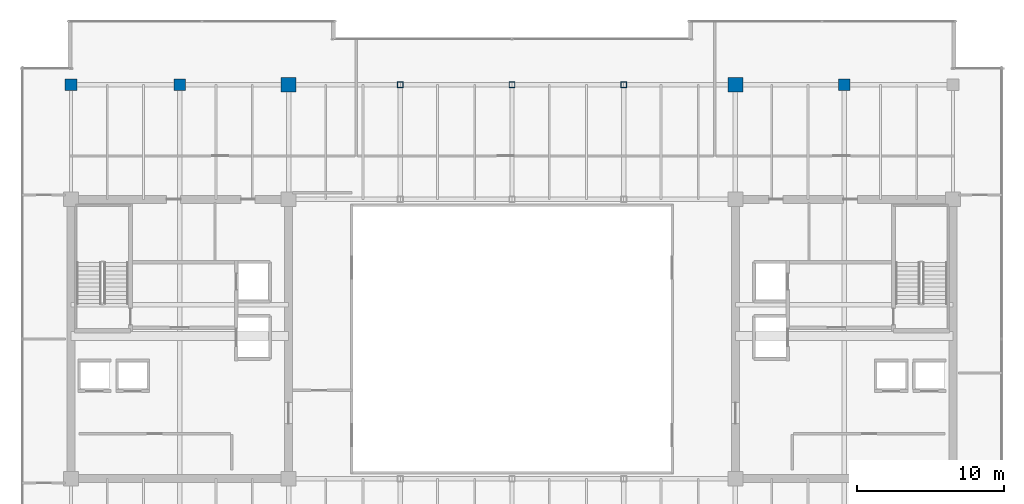
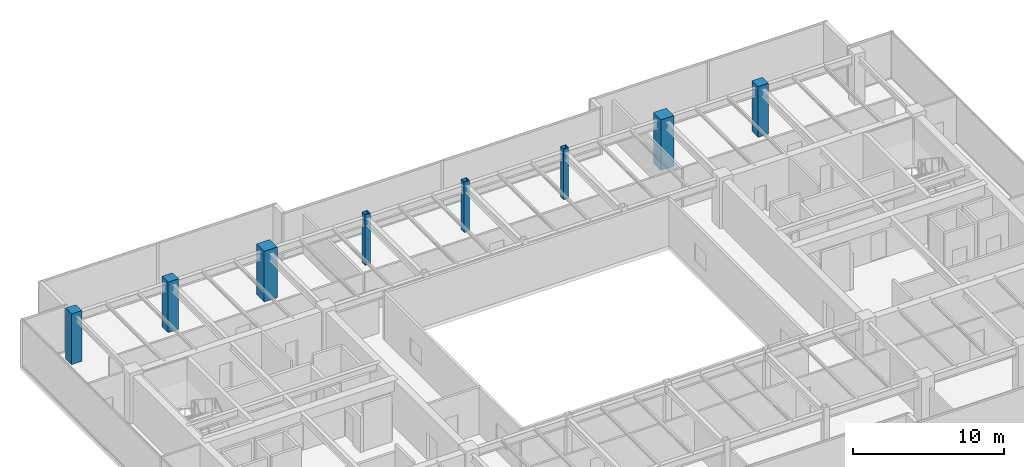
# One storey, part 3 of 33: 8 columns.
"""IFC4 building model written with IfcOpenShell, lengths in metres."""

from ifc_helpers import new_model, si_unit, direction, frame, origin, origin_2d, place, context, subcontext, project, spatial, rectangle, hollow_rectangle, extrude, source, transform, mapped, material, material_profile, profile_set, type_object, type_shapes, element, save


model = new_model("IFC4")

# Units and contexts
model_context = context("Model", 3, precision=1e-05, world=origin(), true_north=direction((0.0, 1.0)))
body_context = subcontext(model_context, "Body", "Model", "MODEL_VIEW")
ifc_project = project(units=[si_unit("LENGTHUNIT", "METRE"), si_unit("AREAUNIT", "SQUARE_METRE"), si_unit("VOLUMEUNIT", "CUBIC_METRE"), si_unit("PLANEANGLEUNIT", "RADIAN"), si_unit("MASSUNIT", "GRAM", prefix="KILO")], contexts=[model_context])

# Site, building, storey
site_placement = place(None, origin())
site = spatial("IfcSite", under=ifc_project, at=site_placement, CompositionType="ELEMENT")
building_placement = place(site_placement, origin())
building = spatial("IfcBuilding", under=site, at=building_placement, Name="Haelvirn Gate Laboratories", CompositionType="ELEMENT")
storey_placement = place(building_placement, frame((0.0, 0.0, 267.0)))
storey = spatial("IfcBuildingStorey", under=building, at=storey_placement, Name="L64", CompositionType="ELEMENT", Elevation=267.0)

# Columns
ifc_material_1 = material(Name="Concrete C60/75", Category="concrete")
ifc_material_profile_1 = material_profile(ifc_material_1, rectangle(XDim=1.0, YDim=1.0, at=origin_2d()), Name="RC-1000x1000")
ifc_profile_set_1 = profile_set([ifc_material_profile_1], Name="Concrete C60/75")
column_type_1 = type_object("IfcColumnType", Name="COL-RC-1000", PredefinedType="COLUMN", material=ifc_profile_set_1)
shared_shape_1 = source(origin(), body_context, "Body", "SweptSolid", [
    extrude(rectangle(XDim=1.0, YDim=1.0, at=origin_2d()), origin(), (0.0, 0.0, 1.0), 4.10009765625),
])
type_shapes(column_type_1, [shared_shape_1])
for number, where, z_axis, x_axis, name in (
    (1, (22.199951171875, 41.60009765625, 0.0), (0.0, 0.0, 1.0), (1.0, 0.0, 0.0), "L64 Column 4G"),
    (2, (52.60009765625, 41.60009765625, 0.0), (0.0, 0.0, 1.0), (1.0, 0.0, 0.0), "L64 Column 8G"),
):
    element("IfcColumn", number, at=place(storey_placement, frame(where, z_axis=z_axis, x_axis=x_axis)), inside=storey, type_object=column_type_1, Name=name, PredefinedType="COLUMN", context=body_context, shape_type="MappedRepresentation", body=[
        mapped(shared_shape_1, transform((0.0, 0.0, 0.0), scale=1.0)),
    ])
ifc_material_2 = material(Name="Concrete C50/60", Category="concrete")
ifc_material_profile_2 = material_profile(ifc_material_2, rectangle(XDim=0.800048828125, YDim=0.800048828125, at=origin_2d()), Name="RC-800x800")
ifc_profile_set_2 = profile_set([ifc_material_profile_2], Name="Concrete C50/60")
column_type_2 = type_object("IfcColumnType", Name="COL-RC-800", PredefinedType="COLUMN", material=ifc_profile_set_2)
shared_shape_2 = source(origin(), body_context, "Body", "SweptSolid", [
    extrude(rectangle(XDim=0.800048828125, YDim=0.800048828125, at=origin_2d()), origin(), (0.0, 0.0, 1.0), 4.10009765625),
])
type_shapes(column_type_2, [shared_shape_2])
for number, where, z_axis, x_axis, name in (
    (3, (14.800048828125, 41.60009765625, 0.0), (0.0, 0.0, 1.0), (1.0, 0.0, 0.0), "L64 Column 3G"),
    (4, (60.0, 41.60009765625, 0.0), (0.0, 0.0, 1.0), (1.0, 0.0, 0.0), "L64 Column 9G"),
    (5, (7.39990234375, 41.60009765625, 0.0), (0.0, 0.0, 1.0), (1.0, 0.0, 0.0), "L64 Column 2G"),
):
    element("IfcColumn", number, at=place(storey_placement, frame(where, z_axis=z_axis, x_axis=x_axis)), inside=storey, type_object=column_type_2, Name=name, PredefinedType="COLUMN", context=body_context, shape_type="MappedRepresentation", body=[
        mapped(shared_shape_2, transform((0.0, 0.0, 0.0), scale=1.0)),
    ])
ifc_material_3 = material(Name="Steel SM355", Category="steel")
ifc_material_profile_3 = material_profile(ifc_material_3, hollow_rectangle(XDim=0.39990234375, YDim=0.39990234375, WallThickness=0.01904296875, at=origin_2d()), Name="BOX-400x400x19")
ifc_profile_set_3 = profile_set([ifc_material_profile_3], Name="Steel SM355")
column_type_3 = type_object("IfcColumnType", Name="COL-BOX-400", PredefinedType="COLUMN", material=ifc_profile_set_3)
shared_shape_3 = source(origin(), body_context, "Body", "SweptSolid", [
    extrude(hollow_rectangle(XDim=0.39990234375, YDim=0.39990234375, WallThickness=0.01904296875, at=origin_2d()), origin(), (0.0, 0.0, 1.0), 4.10009765625),
])
type_shapes(column_type_3, [shared_shape_3])
for number, where, z_axis, x_axis, name in (
    (6, (29.800048828125, 41.60009765625, 0.0), (0.0, 0.0, 1.0), (1.0, 0.0, 0.0), "L64 Column 5G"),
    (7, (37.39990234375, 41.60009765625, 0.0), (0.0, 0.0, 1.0), (1.0, 0.0, 0.0), "L64 Column 6G"),
    (8, (45.0, 41.60009765625, 0.0), (0.0, 0.0, 1.0), (1.0, 0.0, 0.0), "L64 Column 7G"),
):
    element("IfcColumn", number, at=place(storey_placement, frame(where, z_axis=z_axis, x_axis=x_axis)), inside=storey, type_object=column_type_3, Name=name, PredefinedType="COLUMN", context=body_context, shape_type="MappedRepresentation", body=[
        mapped(shared_shape_3, transform((0.0, 0.0, 0.0), scale=1.0)),
    ])

save(model, "model.ifc")
